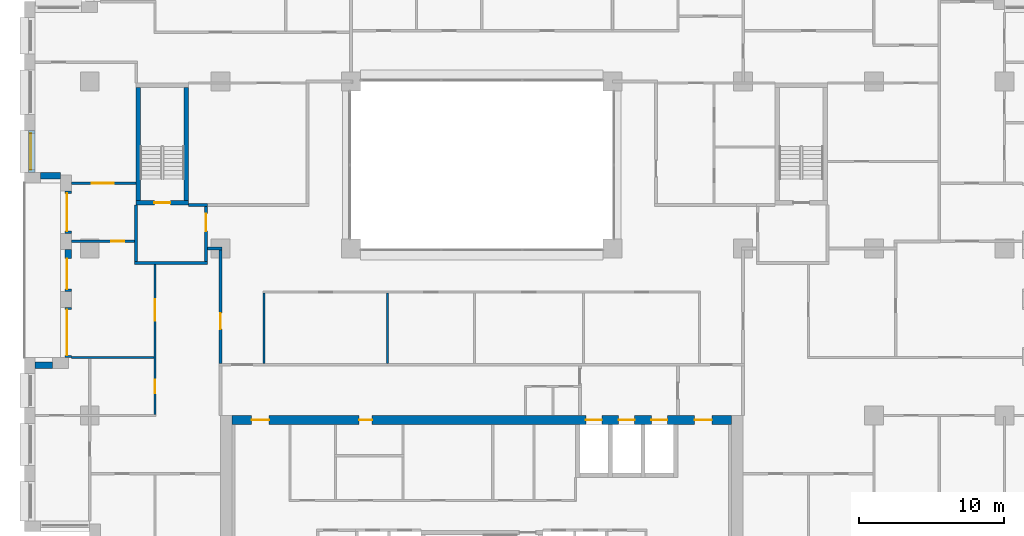
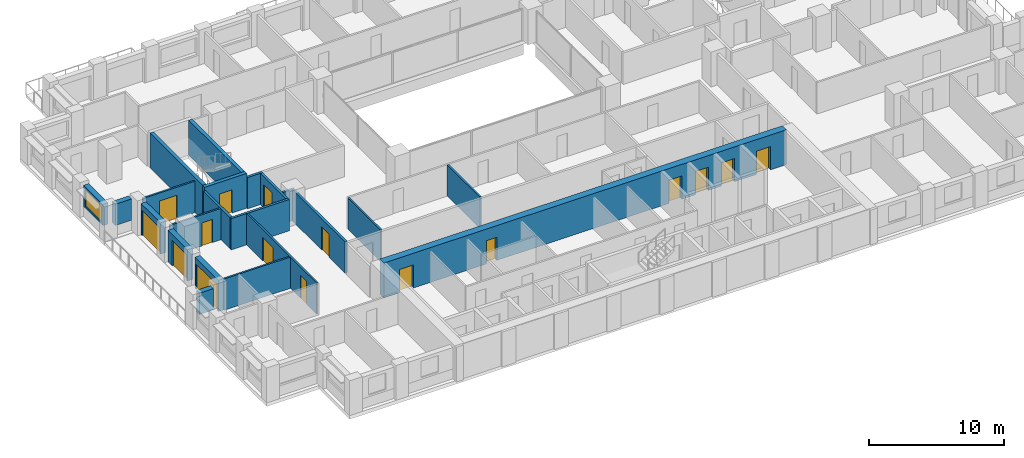
# One storey, part 9 of 17: 22 walls, 16 doors, 1 window, 17 openings.
"""IFC4 building model written with IfcOpenShell, lengths in metres."""

from ifc_helpers import new_model, si_unit, direction, frame, frame_2d, origin, place, context, subcontext, project, spatial, rectangle, extrude, material, layer, layer_set, type_object, element, fill, save


model = new_model("IFC4")

# Units and contexts
model_context = context("Model", 3, precision=1e-05, world=origin(), true_north=direction((0.0, 1.0)))
body_context = subcontext(model_context, "Body", "Model", "MODEL_VIEW")
ifc_project = project(units=[si_unit("LENGTHUNIT", "METRE"), si_unit("AREAUNIT", "SQUARE_METRE"), si_unit("VOLUMEUNIT", "CUBIC_METRE"), si_unit("PLANEANGLEUNIT", "RADIAN"), si_unit("MASSUNIT", "GRAM", prefix="KILO")], contexts=[model_context])

# Site, building, storey
site_placement = place(None, origin())
site = spatial("IfcSite", under=ifc_project, at=site_placement, CompositionType="ELEMENT")
building_placement = place(site_placement, origin())
building = spatial("IfcBuilding", under=site, at=building_placement, Name="Brigalow Station Residences", CompositionType="ELEMENT")
storey_placement = place(building_placement, frame((0.0, 0.0, 111.89990234375)))
storey = spatial("IfcBuildingStorey", under=building, at=storey_placement, Name="L32", CompositionType="ELEMENT", Elevation=111.89990234375)

# Wall, opening, window
ifc_material_1 = material(Name="Clay brick masonry", Category="masonry")
ifc_layer_1 = layer(ifc_material_1, 0.449951171875)
ifc_layer_set_1 = layer_set([ifc_layer_1], Name="BRICK INFILL WALL 450")
wall_type_1 = type_object("IfcWallType", Name="BRICK INFILL WALL 450", PredefinedType="SOLIDWALL", material=ifc_layer_set_1)
wall_1_placement = place(storey_placement, frame((5.02490234375, 32.116943359375, 0.900146484375), z_axis=(0.0, 0.0, 1.0), x_axis=(0.0, -1.0, 0.0)))
wall_1 = element("IfcWall", 1, at=wall_1_placement, inside=storey, type_object=wall_type_1, Name="L32/ewall/W-L32-41", PredefinedType="SOLIDWALL", context=body_context, shape_type="SweptSolid", body=[
    extrude(rectangle(XDim=2.866943359375, YDim=0.449951171875, at=frame_2d((1.43359375, 0.0))), origin(), (0.0, 0.0, 1.0), 1.929931640625),
])
opening_1_placement = place(wall_1_placement, frame((0.18359375, 0.0, 0.14990234375)))
opening_1 = element("IfcOpeningElement", 2, at=opening_1_placement, cuts=wall_1, Name="Opening WT-5", PredefinedType="OPENING", context=body_context, shape_type="SweptSolid", body=[
    extrude(rectangle(XDim=2.5, YDim=1.5, at=frame_2d((1.25, 0.75))), frame((0.0, 0.23486328125, 0.0), z_axis=(0.0, -1.0, 0.0), x_axis=(1.0, 0.0, 0.0)), (0.0, 0.0, 1.0), 0.469970703125),
])
ifc_material_2 = material(Name="Anodised aluminium frame with double glazing", Category="aluminium")
window_type = type_object("IfcWindowType", Name="WINDOW 2500x1500", PartitioningType="SINGLE_PANEL", PredefinedType="WINDOW", material=ifc_material_2)
window_placement = place(opening_1_placement, origin())
window = element("IfcWindow", 3, at=window_placement, inside=storey, type_object=window_type, Name="L32/window/W-L32-41", OverallHeight=1.5, OverallWidth=2.5, PartitioningType="SINGLE_PANEL", PredefinedType="WINDOW", context=body_context, shape_type="SweptSolid", body=[
    extrude(rectangle(XDim=2.5, YDim=1.5, at=frame_2d((1.25, 0.75))), frame((0.0, -0.06494140625, 0.0), z_axis=(0.0, -1.0, 0.0), x_axis=(1.0, 0.0, 0.0)), (0.0, 0.0, 1.0), 0.06005859375),
])
fill(opening_1, window)

# Wall
wall_2_placement = place(storey_placement, frame((5.60009765625, 29.02490234375, 0.900146484375), z_axis=(0.0, 0.0, 1.0), x_axis=(1.0, 0.0, 0.0)))
element("IfcWall", 4, at=wall_2_placement, inside=storey, type_object=wall_type_1, Name="L32/ewall/W-L32-42", PredefinedType="SOLIDWALL", context=body_context, shape_type="SweptSolid", body=[
    extrude(rectangle(XDim=1.39990234375, YDim=0.449951171875, at=frame_2d((0.699951171875, 0.0))), origin(), (0.0, 0.0, 1.0), 1.929931640625),
])

# Wall, opening, door
wall_3_placement = place(storey_placement, frame((7.52490234375, 27.949951171875, 0.0), z_axis=(0.0, 0.0, 1.0), x_axis=(0.0, -1.0, 0.0)))
wall_3 = element("IfcWall", 5, at=wall_3_placement, inside=storey, type_object=wall_type_1, Name="L32/ewall/W-L32-43", PredefinedType="SOLIDWALL", context=body_context, shape_type="SweptSolid", body=[
    extrude(rectangle(XDim=2.89990234375, YDim=0.449951171875, at=frame_2d((1.449951171875, 0.0))), origin(), (0.0, 0.0, 1.0), 2.830078125),
])
opening_2_placement = place(wall_3_placement, frame((0.14990234375, 0.0, 0.0)))
opening_2 = element("IfcOpeningElement", 6, at=opening_2_placement, cuts=wall_3, Name="Opening D-B2600", PredefinedType="OPENING", context=body_context, shape_type="SweptSolid", body=[
    extrude(rectangle(XDim=2.60009765625, YDim=2.300048828125, at=frame_2d((1.300048828125, 1.14990234375))), frame((0.0, 0.23486328125, 0.0), z_axis=(0.0, -1.0, 0.0), x_axis=(1.0, 0.0, 0.0)), (0.0, 0.0, 1.0), 0.469970703125),
])
ifc_material_3 = material(Name="Anodised aluminium frame with double glazing", Category="aluminium")
door_type_1 = type_object("IfcDoorType", Name="BALCONY SLIDING DOOR 2600x2300", OperationType="SLIDING_TO_LEFT", PredefinedType="DOOR", material=ifc_material_3)
door_1_placement = place(opening_2_placement, origin())
door_1 = element("IfcDoor", 7, at=door_1_placement, inside=storey, type_object=door_type_1, Name="L32/balcony-door/W-L32-43", OperationType="SLIDING_TO_LEFT", OverallHeight=2.300048828125, OverallWidth=2.60009765625, PredefinedType="DOOR", context=body_context, shape_type="SweptSolid", body=[
    extrude(rectangle(XDim=2.60009765625, YDim=2.300048828125, at=frame_2d((1.300048828125, 1.14990234375))), frame((0.0, -0.06982421875, 0.0), z_axis=(0.0, -1.0, 0.0), x_axis=(1.0, 0.0, 0.0)), (0.0, 0.0, 1.0), 0.050048828125),
])
fill(opening_2, door_1)

wall_4_placement = place(storey_placement, frame((7.52490234375, 23.949951171875, 0.0), z_axis=(0.0, 0.0, 1.0), x_axis=(0.0, -1.0, 0.0)))
wall_4 = element("IfcWall", 8, at=wall_4_placement, inside=storey, type_object=wall_type_1, Name="L32/ewall/W-L32-44", PredefinedType="SOLIDWALL", context=body_context, shape_type="SweptSolid", body=[
    extrude(rectangle(XDim=2.89990234375, YDim=0.449951171875, at=frame_2d((1.449951171875, 0.0))), origin(), (0.0, 0.0, 1.0), 2.830078125),
])
opening_3_placement = place(wall_4_placement, frame((0.635009765625, 0.0, 0.0)))
opening_3 = element("IfcOpeningElement", 9, at=opening_3_placement, cuts=wall_4, Name="Opening D-B2100", PredefinedType="OPENING", context=body_context, shape_type="SweptSolid", body=[
    extrude(rectangle(XDim=2.10009765625, YDim=2.300048828125, at=frame_2d((1.050048828125, 1.14990234375))), frame((0.0, 0.23486328125, 0.0), z_axis=(0.0, -1.0, 0.0), x_axis=(1.0, 0.0, 0.0)), (0.0, 0.0, 1.0), 0.469970703125),
])
ifc_material_4 = material(Name="Anodised aluminium frame with double glazing", Category="aluminium")
door_type_2 = type_object("IfcDoorType", Name="BALCONY SLIDING DOOR 2100x2300", OperationType="SLIDING_TO_LEFT", PredefinedType="DOOR", material=ifc_material_4)
door_2_placement = place(opening_3_placement, origin())
door_2 = element("IfcDoor", 10, at=door_2_placement, inside=storey, type_object=door_type_2, Name="L32/balcony-door/W-L32-44", OperationType="SLIDING_TO_LEFT", OverallHeight=2.300048828125, OverallWidth=2.10009765625, PredefinedType="DOOR", context=body_context, shape_type="SweptSolid", body=[
    extrude(rectangle(XDim=2.10009765625, YDim=2.300048828125, at=frame_2d((1.050048828125, 1.14990234375))), frame((0.0, -0.06982421875, 0.0), z_axis=(0.0, -1.0, 0.0), x_axis=(1.0, 0.0, 0.0)), (0.0, 0.0, 1.0), 0.050048828125),
])
fill(opening_3, door_2)

wall_5_placement = place(storey_placement, frame((7.52490234375, 19.949951171875, 0.0), z_axis=(0.0, 0.0, 1.0), x_axis=(0.0, -1.0, 0.0)))
wall_5 = element("IfcWall", 11, at=wall_5_placement, inside=storey, type_object=wall_type_1, Name="L32/ewall/W-L32-45", PredefinedType="SOLIDWALL", context=body_context, shape_type="SweptSolid", body=[
    extrude(rectangle(XDim=3.449951171875, YDim=0.449951171875, at=frame_2d((1.72509765625, 0.0))), origin(), (0.0, 0.0, 1.0), 2.830078125),
])
opening_4_placement = place(wall_5_placement, frame((0.14990234375, 0.0, 0.0)))
opening_4 = element("IfcOpeningElement", 12, at=opening_4_placement, cuts=wall_5, Name="Opening D-B3150", PredefinedType="OPENING", context=body_context, shape_type="SweptSolid", body=[
    extrude(rectangle(XDim=3.14990234375, YDim=2.300048828125, at=frame_2d((1.574951171875, 1.14990234375))), frame((0.0, 0.23486328125, 0.0), z_axis=(0.0, -1.0, 0.0), x_axis=(1.0, 0.0, 0.0)), (0.0, 0.0, 1.0), 0.469970703125),
])
ifc_material_5 = material(Name="Anodised aluminium frame with double glazing", Category="aluminium")
door_type_3 = type_object("IfcDoorType", Name="BALCONY SLIDING DOOR 3150x2300", OperationType="SLIDING_TO_LEFT", PredefinedType="DOOR", material=ifc_material_5)
door_3_placement = place(opening_4_placement, origin())
door_3 = element("IfcDoor", 13, at=door_3_placement, inside=storey, type_object=door_type_3, Name="L32/balcony-door/W-L32-45", OperationType="SLIDING_TO_LEFT", OverallHeight=2.300048828125, OverallWidth=3.14990234375, PredefinedType="DOOR", context=body_context, shape_type="SweptSolid", body=[
    extrude(rectangle(XDim=3.14990234375, YDim=2.300048828125, at=frame_2d((1.574951171875, 1.14990234375))), frame((0.0, -0.06982421875, 0.0), z_axis=(0.0, -1.0, 0.0), x_axis=(1.0, 0.0, 0.0)), (0.0, 0.0, 1.0), 0.050048828125),
])
fill(opening_4, door_3)

# Wall
wall_6_placement = place(storey_placement, frame((6.449951171875, 15.97509765625, 0.900146484375), z_axis=(0.0, 0.0, 1.0), x_axis=(-1.0, 0.0, 0.0)))
element("IfcWall", 14, at=wall_6_placement, inside=storey, type_object=wall_type_1, Name="L32/ewall/W-L32-46", PredefinedType="SOLIDWALL", context=body_context, shape_type="SweptSolid", body=[
    extrude(rectangle(XDim=1.199951171875, YDim=0.449951171875, at=frame_2d((0.60009765625, 0.0))), origin(), (0.0, 0.0, 1.0), 1.929931640625),
])

# Wall, opening, door
ifc_material_6 = material(Name="Concrete C65", Category="concrete")
ifc_layer_2 = layer(ifc_material_6, 0.300048828125)
ifc_layer_set_2 = layer_set([ifc_layer_2], Name="CORE SHEAR WALL 300 C65")
wall_type_2 = type_object("IfcWallType", Name="CORE SHEAR WALL 300 C65", PredefinedType="SHEAR", material=ifc_layer_set_2)
wall_7_placement = place(storey_placement, frame((12.199951171875, 27.14990234375, 0.0), z_axis=(0.0, 0.0, 1.0), x_axis=(1.0, 0.0, 0.0)))
wall_7 = element("IfcWall", 15, at=wall_7_placement, inside=storey, type_object=wall_type_2, Name="CORE WALL ST-S1-S L32", PredefinedType="SHEAR", context=body_context, shape_type="SweptSolid", body=[
    extrude(rectangle(XDim=3.60009765625, YDim=0.300048828125, at=frame_2d((1.800048828125, 0.0))), origin(), (0.0, 0.0, 1.0), 3.150146484375),
])
opening_5_placement = place(wall_7_placement, frame((1.25, 0.0, 0.0)))
opening_5 = element("IfcOpeningElement", 16, at=opening_5_placement, cuts=wall_7, Name="Opening D-5015", PredefinedType="OPENING", context=body_context, shape_type="SweptSolid", body=[
    extrude(rectangle(XDim=1.10009765625, YDim=2.10009765625, at=frame_2d((0.550048828125, 1.050048828125))), frame((0.0, 0.16015625, 0.0), z_axis=(0.0, -1.0, 0.0), x_axis=(1.0, 0.0, 0.0)), (0.0, 0.0, 1.0), 0.320068359375),
])
ifc_material_7 = material(Name="Steel fire door leaf in steel frame", Category="steel")
door_type_4 = type_object("IfcDoorType", Name="STAIR DOOR 1100 x 2100 FD60S", OperationType="SINGLE_SWING_LEFT", PredefinedType="DOOR", material=ifc_material_7)
door_4_placement = place(opening_5_placement, origin())
door_4 = element("IfcDoor", 17, at=door_4_placement, inside=storey, type_object=door_type_4, Name="D-5015", OperationType="SINGLE_SWING_LEFT", OverallHeight=2.10009765625, OverallWidth=1.10009765625, PredefinedType="DOOR", context=body_context, shape_type="SweptSolid", body=[
    extrude(rectangle(XDim=1.10009765625, YDim=2.10009765625, at=frame_2d((0.550048828125, 1.050048828125))), frame((0.0, 0.02490234375, 0.0), z_axis=(0.0, -1.0, 0.0), x_axis=(1.0, 0.0, 0.0)), (0.0, 0.0, 1.0), 0.050048828125),
])
fill(opening_5, door_4)

# Walls
for number, where, z_axis, x_axis, name in (
    (18, (12.35009765625, 27.300048828125, 0.0), (0.0, 0.0, 1.0), (0.0, 1.0, 0.0), "CORE WALL ST-S1-W L32"),
    (19, (15.64990234375, 27.300048828125, 0.0), (0.0, 0.0, 1.0), (0.0, 1.0, 0.0), "CORE WALL ST-S1-E L32"),
):
    element("IfcWall", number, at=place(storey_placement, frame(where, z_axis=z_axis, x_axis=x_axis)), inside=storey, type_object=wall_type_2, Name=name, PredefinedType="SHEAR", context=body_context, shape_type="SweptSolid", body=[
        extrude(rectangle(XDim=7.800048828125, YDim=0.300048828125, at=frame_2d((3.89990234375, 0.0))), origin(), (0.0, 0.0, 1.0), 3.150146484375),
    ])

# Wall, openings, doors
ifc_material_8 = material(Name="Concrete C65", Category="concrete")
ifc_layer_3 = layer(ifc_material_8, 0.60009765625)
ifc_layer_set_3 = layer_set([ifc_layer_3], Name="CORE SHEAR WALL 600 C65")
wall_type_3 = type_object("IfcWallType", Name="CORE SHEAR WALL 600 C65", PredefinedType="SHEAR", material=ifc_layer_set_3)
wall_8_placement = place(storey_placement, frame((18.800048828125, 12.199951171875, 0.0), z_axis=(0.0, 0.0, 1.0), x_axis=(1.0, 0.0, 0.0)))
wall_8 = element("IfcWall", 20, at=wall_8_placement, inside=storey, type_object=wall_type_3, Name="CORE WALL OUT-N L32", PredefinedType="SHEAR", context=body_context, shape_type="SweptSolid", body=[
    extrude(rectangle(XDim=34.39990234375, YDim=0.60009765625, at=frame_2d((17.199951171875, 0.0))), origin(), (0.0, 0.0, 1.0), 3.150146484375),
])
opening_6_placement = place(wall_8_placement, frame((24.375, 0.0, 0.0)))
opening_6 = element("IfcOpeningElement", 21, at=opening_6_placement, cuts=wall_8, Name="Opening LD-LF1", PredefinedType="OPENING", context=body_context, shape_type="SweptSolid", body=[
    extrude(rectangle(XDim=1.10009765625, YDim=2.10009765625, at=frame_2d((0.550048828125, 1.050048828125))), frame((0.0, 0.31005859375, 0.0), z_axis=(0.0, -1.0, 0.0), x_axis=(1.0, 0.0, 0.0)), (0.0, 0.0, 1.0), 0.6201171875),
])
opening_7_placement = place(wall_8_placement, frame((26.625, 0.0, 0.0)))
opening_7 = element("IfcOpeningElement", 22, at=opening_7_placement, cuts=wall_8, Name="Opening LD-LF2", PredefinedType="OPENING", context=body_context, shape_type="SweptSolid", body=[
    extrude(rectangle(XDim=1.10009765625, YDim=2.10009765625, at=frame_2d((0.550048828125, 1.050048828125))), frame((0.0, 0.31005859375, 0.0), z_axis=(0.0, -1.0, 0.0), x_axis=(1.0, 0.0, 0.0)), (0.0, 0.0, 1.0), 0.6201171875),
])
opening_8_placement = place(wall_8_placement, frame((28.875, 0.0, 0.0)))
opening_8 = element("IfcOpeningElement", 23, at=opening_8_placement, cuts=wall_8, Name="Opening LD-LG1", PredefinedType="OPENING", context=body_context, shape_type="SweptSolid", body=[
    extrude(rectangle(XDim=1.10009765625, YDim=2.10009765625, at=frame_2d((0.550048828125, 1.050048828125))), frame((0.0, 0.31005859375, 0.0), z_axis=(0.0, -1.0, 0.0), x_axis=(1.0, 0.0, 0.0)), (0.0, 0.0, 1.0), 0.6201171875),
])
opening_9_placement = place(wall_8_placement, frame((8.75, 0.0, 0.0)))
opening_9 = element("IfcOpeningElement", 24, at=opening_9_placement, cuts=wall_8, Name="Opening D-5121", PredefinedType="OPENING", context=body_context, shape_type="SweptSolid", body=[
    extrude(rectangle(XDim=0.89990234375, YDim=2.10009765625, at=frame_2d((0.449951171875, 1.050048828125))), frame((0.0, 0.31005859375, 0.0), z_axis=(0.0, -1.0, 0.0), x_axis=(1.0, 0.0, 0.0)), (0.0, 0.0, 1.0), 0.6201171875),
])
opening_10_placement = place(wall_8_placement, frame((1.35009765625, 0.0, 0.0)))
opening_10 = element("IfcOpeningElement", 25, at=opening_10_placement, cuts=wall_8, Name="Opening D-5011", PredefinedType="OPENING", context=body_context, shape_type="SweptSolid", body=[
    extrude(rectangle(XDim=1.199951171875, YDim=2.10009765625, at=frame_2d((0.60009765625, 1.050048828125))), frame((0.0, 0.31005859375, 0.0), z_axis=(0.0, -1.0, 0.0), x_axis=(1.0, 0.0, 0.0)), (0.0, 0.0, 1.0), 0.6201171875),
])
opening_11_placement = place(wall_8_placement, frame((31.85009765625, 0.0, 0.0)))
opening_11 = element("IfcOpeningElement", 26, at=opening_11_placement, cuts=wall_8, Name="Opening D-5012", PredefinedType="OPENING", context=body_context, shape_type="SweptSolid", body=[
    extrude(rectangle(XDim=1.199951171875, YDim=2.10009765625, at=frame_2d((0.60009765625, 1.050048828125))), frame((0.0, 0.31005859375, 0.0), z_axis=(0.0, -1.0, 0.0), x_axis=(1.0, 0.0, 0.0)), (0.0, 0.0, 1.0), 0.6201171875),
])
ifc_material_9 = material(Name="Steel fire door leaf in steel frame", Category="steel")
door_type_5 = type_object("IfcDoorType", Name="CORE CORRIDOR DOOR 1200 x 2100 FD60S", OperationType="SINGLE_SWING_LEFT", PredefinedType="DOOR", material=ifc_material_9)
door_5_placement = place(opening_10_placement, frame((1.199951171875, 0.0, 0.0), z_axis=(0.0, 0.0, 1.0), x_axis=(-1.0, 0.0, 0.0)))
door_5 = element("IfcDoor", 27, at=door_5_placement, inside=storey, type_object=door_type_5, Name="D-5011", OperationType="SINGLE_SWING_LEFT", OverallHeight=2.10009765625, OverallWidth=1.199951171875, PredefinedType="DOOR", context=body_context, shape_type="SweptSolid", body=[
    extrude(rectangle(XDim=1.199951171875, YDim=2.10009765625, at=frame_2d((0.60009765625, 1.050048828125))), frame((0.0, 0.02490234375, 0.0), z_axis=(0.0, -1.0, 0.0), x_axis=(1.0, 0.0, 0.0)), (0.0, 0.0, 1.0), 0.050048828125),
])
fill(opening_10, door_5)
door_6_placement = place(opening_11_placement, frame((1.199951171875, 0.0, 0.0), z_axis=(0.0, 0.0, 1.0), x_axis=(-1.0, 0.0, 0.0)))
door_6 = element("IfcDoor", 28, at=door_6_placement, inside=storey, type_object=door_type_5, Name="D-5012", OperationType="SINGLE_SWING_RIGHT", OverallHeight=2.10009765625, OverallWidth=1.199951171875, PredefinedType="DOOR", context=body_context, shape_type="SweptSolid", body=[
    extrude(rectangle(XDim=1.199951171875, YDim=2.10009765625, at=frame_2d((0.60009765625, 1.050048828125))), frame((0.0, 0.02490234375, 0.0), z_axis=(0.0, -1.0, 0.0), x_axis=(1.0, 0.0, 0.0)), (0.0, 0.0, 1.0), 0.050048828125),
])
fill(opening_11, door_6)
ifc_material_10 = material(Name="Stainless steel sliding door leaves", Category="steel")
door_type_6 = type_object("IfcDoorType", Name="LIFT LANDING DOOR 1100 x 2100", OperationType="DOUBLE_DOOR_SLIDING", PredefinedType="DOOR", material=ifc_material_10)
door_7_placement = place(opening_6_placement, origin())
door_7 = element("IfcDoor", 29, at=door_7_placement, inside=storey, type_object=door_type_6, Name="LANDING DOOR LF1", OperationType="DOUBLE_DOOR_SLIDING", OverallHeight=2.10009765625, OverallWidth=1.10009765625, PredefinedType="DOOR", context=body_context, shape_type="SweptSolid", body=[
    extrude(rectangle(XDim=1.10009765625, YDim=2.10009765625, at=frame_2d((0.550048828125, 1.050048828125))), frame((0.0, 0.02490234375, 0.0), z_axis=(0.0, -1.0, 0.0), x_axis=(1.0, 0.0, 0.0)), (0.0, 0.0, 1.0), 0.050048828125),
])
fill(opening_6, door_7)
door_8_placement = place(opening_7_placement, origin())
door_8 = element("IfcDoor", 30, at=door_8_placement, inside=storey, type_object=door_type_6, Name="LANDING DOOR LF2", OperationType="DOUBLE_DOOR_SLIDING", OverallHeight=2.10009765625, OverallWidth=1.10009765625, PredefinedType="DOOR", context=body_context, shape_type="SweptSolid", body=[
    extrude(rectangle(XDim=1.10009765625, YDim=2.10009765625, at=frame_2d((0.550048828125, 1.050048828125))), frame((0.0, 0.02490234375, 0.0), z_axis=(0.0, -1.0, 0.0), x_axis=(1.0, 0.0, 0.0)), (0.0, 0.0, 1.0), 0.050048828125),
])
fill(opening_7, door_8)
door_9_placement = place(opening_8_placement, origin())
door_9 = element("IfcDoor", 31, at=door_9_placement, inside=storey, type_object=door_type_6, Name="LANDING DOOR LG1", OperationType="DOUBLE_DOOR_SLIDING", OverallHeight=2.10009765625, OverallWidth=1.10009765625, PredefinedType="DOOR", context=body_context, shape_type="SweptSolid", body=[
    extrude(rectangle(XDim=1.10009765625, YDim=2.10009765625, at=frame_2d((0.550048828125, 1.050048828125))), frame((0.0, 0.02490234375, 0.0), z_axis=(0.0, -1.0, 0.0), x_axis=(1.0, 0.0, 0.0)), (0.0, 0.0, 1.0), 0.050048828125),
])
fill(opening_8, door_9)
ifc_material_11 = material(Name="Steel door leaf in steel frame", Category="steel")
door_type_7 = type_object("IfcDoorType", Name="SERVICE ROOM DOOR 900 x 2100 FD60", OperationType="SINGLE_SWING_LEFT", PredefinedType="DOOR", material=ifc_material_11)
door_10_placement = place(opening_9_placement, frame((0.89990234375, 0.0, 0.0), z_axis=(0.0, 0.0, 1.0), x_axis=(-1.0, 0.0, 0.0)))
door_10 = element("IfcDoor", 32, at=door_10_placement, inside=storey, type_object=door_type_7, Name="D-5121", OperationType="SINGLE_SWING_RIGHT", OverallHeight=2.10009765625, OverallWidth=0.89990234375, PredefinedType="DOOR", context=body_context, shape_type="SweptSolid", body=[
    extrude(rectangle(XDim=0.89990234375, YDim=2.10009765625, at=frame_2d((0.449951171875, 1.050048828125))), frame((0.0, 0.02490234375, 0.0), z_axis=(0.0, -1.0, 0.0), x_axis=(1.0, 0.0, 0.0)), (0.0, 0.0, 1.0), 0.050048828125),
])
fill(opening_9, door_10)

# Walls
ifc_material_12 = material(Name="Concrete blockwork", Category="masonry")
ifc_layer_4 = layer(ifc_material_12, 0.199951171875)
ifc_layer_set_4 = layer_set([ifc_layer_4], Name="FIRE RATED CORE PARTITION 200")
wall_type_4 = type_object("IfcWallType", Name="FIRE RATED CORE PARTITION 200", PredefinedType="PARTITIONING", material=ifc_layer_set_4)
wall_9_placement = place(storey_placement, frame((12.10009765625, 23.0, 0.0), z_axis=(0.0, 0.0, 1.0), x_axis=(1.0, 0.0, 0.0)))
element("IfcWall", 33, at=wall_9_placement, inside=storey, type_object=wall_type_4, Name="PW-5023", PredefinedType="PARTITIONING", context=body_context, shape_type="SweptSolid", body=[
    extrude(rectangle(XDim=5.0, YDim=0.199951171875, at=frame_2d((2.5, 0.0))), origin(), (0.0, 0.0, 1.0), 2.830078125),
])
wall_10_placement = place(storey_placement, frame((15.800048828125, 27.0, 0.0), z_axis=(0.0, 0.0, 1.0), x_axis=(1.0, 0.0, 0.0)))
element("IfcWall", 34, at=wall_10_placement, inside=storey, type_object=wall_type_4, Name="PW-5025", PredefinedType="PARTITIONING", context=body_context, shape_type="SweptSolid", body=[
    extrude(rectangle(XDim=1.300048828125, YDim=0.199951171875, at=frame_2d((0.64990234375, 0.0))), origin(), (0.0, 0.0, 1.0), 2.830078125),
])
wall_11_placement = place(storey_placement, frame((12.199951171875, 23.10009765625, 0.0), z_axis=(0.0, 0.0, 1.0), x_axis=(0.0, 1.0, 0.0)))
element("IfcWall", 35, at=wall_11_placement, inside=storey, type_object=wall_type_4, Name="PW-5034", PredefinedType="PARTITIONING", context=body_context, shape_type="SweptSolid", body=[
    extrude(rectangle(XDim=3.89990234375, YDim=0.199951171875, at=frame_2d((1.949951171875, 0.0))), origin(), (0.0, 0.0, 1.0), 2.830078125),
])

# Wall, opening, door
wall_12_placement = place(storey_placement, frame((17.0, 23.10009765625, 0.0), z_axis=(0.0, 0.0, 1.0), x_axis=(0.0, 1.0, 0.0)))
wall_12 = element("IfcWall", 36, at=wall_12_placement, inside=storey, type_object=wall_type_4, Name="PW-5035", PredefinedType="PARTITIONING", context=body_context, shape_type="SweptSolid", body=[
    extrude(rectangle(XDim=3.7998046875, YDim=0.199951171875, at=frame_2d((1.89990234375, 0.0))), origin(), (0.0, 0.0, 1.0), 2.830078125),
])
opening_12_placement = place(wall_12_placement, frame((2.10009765625, 0.0, 0.0)))
opening_12 = element("IfcOpeningElement", 37, at=opening_12_placement, cuts=wall_12, Name="Opening D-5016", PredefinedType="OPENING", context=body_context, shape_type="SweptSolid", body=[
    extrude(rectangle(XDim=1.199951171875, YDim=2.10009765625, at=frame_2d((0.60009765625, 1.050048828125))), frame((0.0, 0.10986328125, 0.0), z_axis=(0.0, -1.0, 0.0), x_axis=(1.0, 0.0, 0.0)), (0.0, 0.0, 1.0), 0.219970703125),
])
ifc_material_13 = material(Name="Steel fire door leaf in steel frame", Category="steel")
door_type_8 = type_object("IfcDoorType", Name="STAIR LOBBY DOOR 1200 x 2100 FD60S", OperationType="SINGLE_SWING_LEFT", PredefinedType="DOOR", material=ifc_material_13)
door_11_placement = place(opening_12_placement, origin())
door_11 = element("IfcDoor", 38, at=door_11_placement, inside=storey, type_object=door_type_8, Name="D-5016", OperationType="SINGLE_SWING_RIGHT", OverallHeight=2.10009765625, OverallWidth=1.199951171875, PredefinedType="DOOR", context=body_context, shape_type="SweptSolid", body=[
    extrude(rectangle(XDim=1.199951171875, YDim=2.10009765625, at=frame_2d((0.60009765625, 1.050048828125))), frame((0.0, 0.02490234375, 0.0), z_axis=(0.0, -1.0, 0.0), x_axis=(1.0, 0.0, 0.0)), (0.0, 0.0, 1.0), 0.050048828125),
])
fill(opening_12, door_11)

# Wall
ifc_material_14 = material(Name="Plasterboard on steel stud partition", Category="steel")
ifc_layer_5 = layer(ifc_material_14, 0.14990234375)
ifc_layer_set_5 = layer_set([ifc_layer_5], Name="FLAT PARTITION 150")
wall_type_5 = type_object("IfcWallType", Name="FLAT PARTITION 150", PredefinedType="PARTITIONING", material=ifc_layer_set_5)
wall_13_placement = place(storey_placement, frame((7.75, 16.5, 0.0), z_axis=(0.0, 0.0, 1.0), x_axis=(1.0, 0.0, 0.0)))
element("IfcWall", 39, at=wall_13_placement, inside=storey, type_object=wall_type_5, Name="PW-2D12", PredefinedType="PARTITIONING", context=body_context, shape_type="SweptSolid", body=[
    extrude(rectangle(XDim=5.675048828125, YDim=0.14990234375, at=frame_2d((2.83740234375, 0.0))), origin(), (0.0, 0.0, 1.0), 2.830078125),
])

# Wall, opening, door
wall_14_placement = place(storey_placement, frame((7.75, 24.5, 0.0), z_axis=(0.0, 0.0, 1.0), x_axis=(1.0, 0.0, 0.0)))
wall_14 = element("IfcWall", 40, at=wall_14_placement, inside=storey, type_object=wall_type_5, Name="PW-2D16", PredefinedType="PARTITIONING", context=body_context, shape_type="SweptSolid", body=[
    extrude(rectangle(XDim=4.35009765625, YDim=0.14990234375, at=frame_2d((2.175048828125, 0.0))), origin(), (0.0, 0.0, 1.0), 2.830078125),
])
opening_13_placement = place(wall_14_placement, frame((2.72509765625, 0.0, 0.0)))
opening_13 = element("IfcOpeningElement", 41, at=opening_13_placement, cuts=wall_14, Name="Opening D-2D10", PredefinedType="OPENING", context=body_context, shape_type="SweptSolid", body=[
    extrude(rectangle(XDim=0.89990234375, YDim=2.10009765625, at=frame_2d((0.449951171875, 1.050048828125))), frame((0.0, 0.0849609375, 0.0), z_axis=(0.0, -1.0, 0.0), x_axis=(1.0, 0.0, 0.0)), (0.0, 0.0, 1.0), 0.169921875),
])
ifc_material_15 = material(Name="Solid-core timber door leaf", Category="wood")
door_type_9 = type_object("IfcDoorType", Name="INTERNAL DOOR 900 x 2100", OperationType="SINGLE_SWING_LEFT", PredefinedType="DOOR", material=ifc_material_15)
door_12_placement = place(opening_13_placement, origin())
door_12 = element("IfcDoor", 42, at=door_12_placement, inside=storey, type_object=door_type_9, Name="D-2D10", OperationType="SINGLE_SWING_RIGHT", OverallHeight=2.10009765625, OverallWidth=0.89990234375, PredefinedType="DOOR", context=body_context, shape_type="SweptSolid", body=[
    extrude(rectangle(XDim=0.89990234375, YDim=2.10009765625, at=frame_2d((0.449951171875, 1.050048828125))), frame((0.0, 0.02490234375, 0.0), z_axis=(0.0, -1.0, 0.0), x_axis=(1.0, 0.0, 0.0)), (0.0, 0.0, 1.0), 0.050048828125),
])
fill(opening_13, door_12)

wall_15_placement = place(storey_placement, frame((7.75, 28.5, 0.0), z_axis=(0.0, 0.0, 1.0), x_axis=(1.0, 0.0, 0.0)))
wall_15 = element("IfcWall", 43, at=wall_15_placement, inside=storey, type_object=wall_type_5, Name="PW-2D19", PredefinedType="PARTITIONING", context=body_context, shape_type="SweptSolid", body=[
    extrude(rectangle(XDim=4.449951171875, YDim=0.14990234375, at=frame_2d((2.22509765625, 0.0))), origin(), (0.0, 0.0, 1.0), 2.830078125),
])
opening_14_placement = place(wall_15_placement, frame((1.39990234375, 0.0, 0.0)))
opening_14 = element("IfcOpeningElement", 44, at=opening_14_placement, cuts=wall_15, Name="Opening D-2D11", PredefinedType="OPENING", context=body_context, shape_type="SweptSolid", body=[
    extrude(rectangle(XDim=1.5, YDim=2.10009765625, at=frame_2d((0.75, 1.050048828125))), frame((0.0, 0.0849609375, 0.0), z_axis=(0.0, -1.0, 0.0), x_axis=(1.0, 0.0, 0.0)), (0.0, 0.0, 1.0), 0.169921875),
])
ifc_material_16 = material(Name="Solid-core timber door leaf", Category="wood")
door_type_10 = type_object("IfcDoorType", Name="INTERNAL DOUBLE DOOR 1500 x 2100", OperationType="DOUBLE_DOOR_SINGLE_SWING", PredefinedType="DOOR", material=ifc_material_16)
door_13_placement = place(opening_14_placement, frame((1.5, 0.0, 0.0), z_axis=(0.0, 0.0, 1.0), x_axis=(-1.0, 0.0, 0.0)))
door_13 = element("IfcDoor", 45, at=door_13_placement, inside=storey, type_object=door_type_10, Name="D-2D11", OperationType="DOUBLE_DOOR_SINGLE_SWING", OverallHeight=2.10009765625, OverallWidth=1.5, PredefinedType="DOOR", context=body_context, shape_type="SweptSolid", body=[
    extrude(rectangle(XDim=1.5, YDim=2.10009765625, at=frame_2d((0.75, 1.050048828125))), frame((0.0, 0.02490234375, 0.0), z_axis=(0.0, -1.0, 0.0), x_axis=(1.0, 0.0, 0.0)), (0.0, 0.0, 1.0), 0.050048828125),
])
fill(opening_14, door_13)

# Wall
wall_16_placement = place(storey_placement, frame((21.0, 16.10009765625, 0.0), z_axis=(0.0, 0.0, 1.0), x_axis=(0.0, 1.0, 0.0)))
element("IfcWall", 46, at=wall_16_placement, inside=storey, type_object=wall_type_5, Name="PW-2D41", PredefinedType="PARTITIONING", context=body_context, shape_type="SweptSolid", body=[
    extrude(rectangle(XDim=4.824951171875, YDim=0.14990234375, at=frame_2d((2.41259765625, 0.0))), origin(), (0.0, 0.0, 1.0), 2.830078125),
])

# Wall, openings, doors
wall_17_placement = place(storey_placement, frame((13.5, 12.574951171875, 0.0), z_axis=(0.0, 0.0, 1.0), x_axis=(0.0, 1.0, 0.0)))
wall_17 = element("IfcWall", 47, at=wall_17_placement, inside=storey, type_object=wall_type_5, Name="PW-2D48", PredefinedType="PARTITIONING", context=body_context, shape_type="SweptSolid", body=[
    extrude(rectangle(XDim=10.324951171875, YDim=0.14990234375, at=frame_2d((5.16259765625, 0.0))), origin(), (0.0, 0.0, 1.0), 2.830078125),
])
opening_15_placement = place(wall_17_placement, frame((1.47509765625, 0.0, 0.0)))
opening_15 = element("IfcOpeningElement", 48, at=opening_15_placement, cuts=wall_17, Name="Opening D-2D08", PredefinedType="OPENING", context=body_context, shape_type="SweptSolid", body=[
    extrude(rectangle(XDim=0.89990234375, YDim=2.10009765625, at=frame_2d((0.449951171875, 1.050048828125))), frame((0.0, 0.0849609375, 0.0), z_axis=(0.0, -1.0, 0.0), x_axis=(1.0, 0.0, 0.0)), (0.0, 0.0, 1.0), 0.169921875),
])
opening_16_placement = place(wall_17_placement, frame((6.449951171875, 0.0, 0.0)))
opening_16 = element("IfcOpeningElement", 49, at=opening_16_placement, cuts=wall_17, Name="Opening D-2D09", PredefinedType="OPENING", context=body_context, shape_type="SweptSolid", body=[
    extrude(rectangle(XDim=1.5, YDim=2.10009765625, at=frame_2d((0.75, 1.050048828125))), frame((0.0, 0.0849609375, 0.0), z_axis=(0.0, -1.0, 0.0), x_axis=(1.0, 0.0, 0.0)), (0.0, 0.0, 1.0), 0.169921875),
])
door_14_placement = place(opening_15_placement, origin())
door_14 = element("IfcDoor", 50, at=door_14_placement, inside=storey, type_object=door_type_9, Name="D-2D08", OperationType="SINGLE_SWING_RIGHT", OverallHeight=2.10009765625, OverallWidth=0.89990234375, PredefinedType="DOOR", context=body_context, shape_type="SweptSolid", body=[
    extrude(rectangle(XDim=0.89990234375, YDim=2.10009765625, at=frame_2d((0.449951171875, 1.050048828125))), frame((0.0, 0.02490234375, 0.0), z_axis=(0.0, -1.0, 0.0), x_axis=(1.0, 0.0, 0.0)), (0.0, 0.0, 1.0), 0.050048828125),
])
fill(opening_15, door_14)
door_15_placement = place(opening_16_placement, origin())
door_15 = element("IfcDoor", 51, at=door_15_placement, inside=storey, type_object=door_type_10, Name="D-2D09", OperationType="DOUBLE_DOOR_SINGLE_SWING", OverallHeight=2.10009765625, OverallWidth=1.5, PredefinedType="DOOR", context=body_context, shape_type="SweptSolid", body=[
    extrude(rectangle(XDim=1.5, YDim=2.10009765625, at=frame_2d((0.75, 1.050048828125))), frame((0.0, 0.02490234375, 0.0), z_axis=(0.0, -1.0, 0.0), x_axis=(1.0, 0.0, 0.0)), (0.0, 0.0, 1.0), 0.050048828125),
])
fill(opening_16, door_15)

# Walls
wall_18_placement = place(storey_placement, frame((29.5, 16.10009765625, 0.0), z_axis=(0.0, 0.0, 1.0), x_axis=(0.0, 1.0, 0.0)))
element("IfcWall", 52, at=wall_18_placement, inside=storey, type_object=wall_type_5, Name="PW-2D68", PredefinedType="PARTITIONING", context=body_context, shape_type="SweptSolid", body=[
    extrude(rectangle(XDim=4.824951171875, YDim=0.14990234375, at=frame_2d((2.41259765625, 0.0))), origin(), (0.0, 0.0, 1.0), 2.830078125),
])
ifc_material_17 = material(Name="Plasterboard on steel stud partition", Category="steel")
ifc_layer_6 = layer(ifc_material_17, 0.199951171875)
ifc_layer_set_6 = layer_set([ifc_layer_6], Name="PARTY AND CORRIDOR WALL 200")
wall_type_6 = type_object("IfcWallType", Name="PARTY AND CORRIDOR WALL 200", PredefinedType="PARTITIONING", material=ifc_layer_set_6)
wall_19_placement = place(storey_placement, frame((17.10009765625, 24.0, 0.0), z_axis=(0.0, 0.0, 1.0), x_axis=(1.0, 0.0, 0.0)))
element("IfcWall", 53, at=wall_19_placement, inside=storey, type_object=wall_type_6, Name="PW-2D02", PredefinedType="PARTITIONING", context=body_context, shape_type="SweptSolid", body=[
    extrude(rectangle(XDim=1.0, YDim=0.199951171875, at=frame_2d((0.5, 0.0))), origin(), (0.0, 0.0, 1.0), 2.830078125),
])

# Wall, opening, door
wall_20_placement = place(storey_placement, frame((18.0, 16.10009765625, 0.0), z_axis=(0.0, 0.0, 1.0), x_axis=(0.0, 1.0, 0.0)))
wall_20 = element("IfcWall", 54, at=wall_20_placement, inside=storey, type_object=wall_type_6, Name="PW-2D38", PredefinedType="PARTITIONING", context=body_context, shape_type="SweptSolid", body=[
    extrude(rectangle(XDim=7.7998046875, YDim=0.199951171875, at=frame_2d((3.89990234375, 0.0))), origin(), (0.0, 0.0, 1.0), 2.830078125),
])
opening_17_placement = place(wall_20_placement, frame((2.35009765625, 0.0, 0.0)))
opening_17 = element("IfcOpeningElement", 55, at=opening_17_placement, cuts=wall_20, Name="Opening D-2D03", PredefinedType="OPENING", context=body_context, shape_type="SweptSolid", body=[
    extrude(rectangle(XDim=1.10009765625, YDim=2.10009765625, at=frame_2d((0.550048828125, 1.050048828125))), frame((0.0, 0.10986328125, 0.0), z_axis=(0.0, -1.0, 0.0), x_axis=(1.0, 0.0, 0.0)), (0.0, 0.0, 1.0), 0.219970703125),
])
ifc_material_18 = material(Name="Solid-core timber door leaf", Category="wood")
door_type_11 = type_object("IfcDoorType", Name="FLAT ENTRANCE DOOR 1100 x 2100 FRL -/60/30", OperationType="SINGLE_SWING_LEFT", PredefinedType="DOOR", material=ifc_material_18)
door_16_placement = place(opening_17_placement, origin())
door_16 = element("IfcDoor", 56, at=door_16_placement, inside=storey, type_object=door_type_11, Name="D-2D03", OperationType="SINGLE_SWING_RIGHT", OverallHeight=2.10009765625, OverallWidth=1.10009765625, PredefinedType="DOOR", context=body_context, shape_type="SweptSolid", body=[
    extrude(rectangle(XDim=1.10009765625, YDim=2.10009765625, at=frame_2d((0.550048828125, 1.050048828125))), frame((0.0, 0.02490234375, 0.0), z_axis=(0.0, -1.0, 0.0), x_axis=(1.0, 0.0, 0.0)), (0.0, 0.0, 1.0), 0.050048828125),
])
fill(opening_17, door_16)

save(model, "model.ifc")
